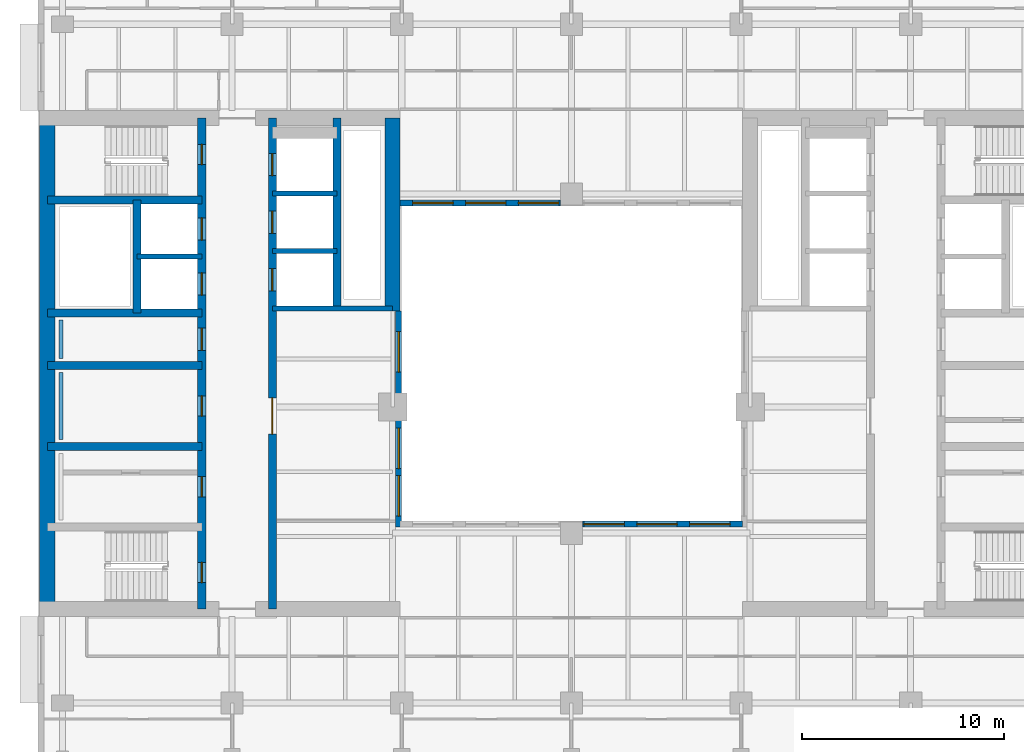
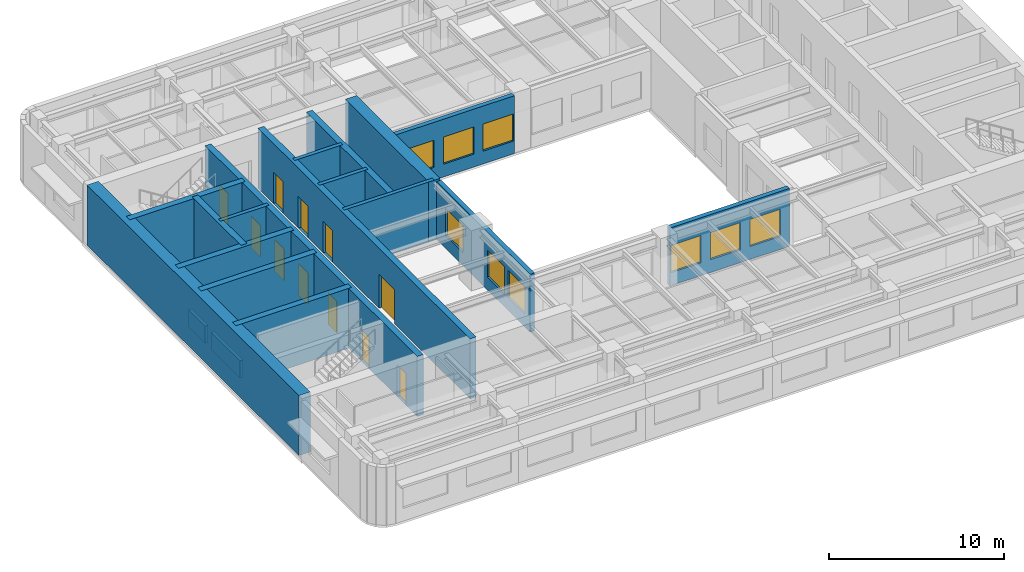
# One storey, part 4 of 11: 19 walls, 11 doors, 9 windows, 20 openings.
"""IFC4 building model written with IfcOpenShell, lengths in metres."""

from ifc_helpers import new_model, si_unit, direction, frame, frame_2d, origin, place, context, subcontext, project, spatial, rectangle, extrude, material, layer, layer_set, type_object, element, fill, save


model = new_model("IFC4")

# Units and contexts
model_context = context("Model", 3, precision=1e-05, world=origin(), true_north=direction((0.0, 1.0)))
body_context = subcontext(model_context, "Body", "Model", "MODEL_VIEW")
ifc_project = project(units=[si_unit("LENGTHUNIT", "METRE"), si_unit("AREAUNIT", "SQUARE_METRE"), si_unit("VOLUMEUNIT", "CUBIC_METRE"), si_unit("PLANEANGLEUNIT", "RADIAN"), si_unit("MASSUNIT", "GRAM", prefix="KILO")], contexts=[model_context])

# Site, building, storey
site_placement = place(None, origin())
site = spatial("IfcSite", under=ifc_project, at=site_placement, CompositionType="ELEMENT")
building_placement = place(site_placement, origin())
building = spatial("IfcBuilding", under=site, at=building_placement, Name="Claustro Exchange Tower", CompositionType="ELEMENT")
storey_placement = place(building_placement, frame((0.0, 0.0, 194.39990234375)))
storey = spatial("IfcBuildingStorey", under=building, at=storey_placement, Name="L44", CompositionType="ELEMENT", Elevation=194.39990234375)

# Wall, openings, windows
ifc_material_1 = material(Name="Concrete HA-40 (C40/50), precast, white cement, acid-etched", Category="concrete")
ifc_layer_1 = layer(ifc_material_1, 0.300048828125)
ifc_layer_set_1 = layer_set([ifc_layer_1], Name="Concrete HA-40 (C40/50), precast, white cement, acid-etched")
wall_type_1 = type_object("IfcWallType", Name="PC1 300 precast concrete pier panel", PredefinedType="SOLIDWALL", material=ifc_layer_set_1)
wall_1_placement = place(storey_placement, frame((16.64990234375, 17.10009765625, 0.0), z_axis=(0.0, 0.0, 1.0), x_axis=(0.0, 1.0, 0.0)))
wall_1 = element("IfcWall", 1, at=wall_1_placement, inside=storey, type_object=wall_type_1, Name="Precast pier panel PC1 L44", PredefinedType="SOLIDWALL", context=body_context, shape_type="SweptSolid", body=[
    extrude(rectangle(XDim=10.699951171875, YDim=0.300048828125, at=frame_2d((5.35009765625, 0.0))), origin(), (0.0, 0.0, 1.0), 4.050048828125),
])
opening_1_placement = place(wall_1_placement, frame((0.550048828125, 0.0, 0.89990234375)))
opening_1 = element("IfcOpeningElement", 2, at=opening_1_placement, cuts=wall_1, Name="Opening W4", PredefinedType="OPENING", context=body_context, shape_type="SweptSolid", body=[
    extrude(rectangle(XDim=2.0, YDim=1.89990234375, at=frame_2d((1.0, 0.949951171875))), frame((0.0, 0.159912109375, 0.0), z_axis=(0.0, -1.0, 0.0), x_axis=(1.0, 0.0, 0.0)), (0.0, 0.0, 1.0), 0.320068359375),
])
opening_2_placement = place(wall_1_placement, frame((2.89990234375, 0.0, 0.89990234375)))
opening_2 = element("IfcOpeningElement", 3, at=opening_2_placement, cuts=wall_1, Name="Opening W4", PredefinedType="OPENING", context=body_context, shape_type="SweptSolid", body=[
    extrude(rectangle(XDim=2.0, YDim=1.89990234375, at=frame_2d((1.0, 0.949951171875))), frame((0.0, 0.159912109375, 0.0), z_axis=(0.0, -1.0, 0.0), x_axis=(1.0, 0.0, 0.0)), (0.0, 0.0, 1.0), 0.320068359375),
])
opening_3_placement = place(wall_1_placement, frame((7.675048828125, 0.0, 0.89990234375)))
opening_3 = element("IfcOpeningElement", 4, at=opening_3_placement, cuts=wall_1, Name="Opening W4", PredefinedType="OPENING", context=body_context, shape_type="SweptSolid", body=[
    extrude(rectangle(XDim=2.0, YDim=1.89990234375, at=frame_2d((1.0, 0.949951171875))), frame((0.0, 0.159912109375, 0.0), z_axis=(0.0, -1.0, 0.0), x_axis=(1.0, 0.0, 0.0)), (0.0, 0.0, 1.0), 0.320068359375),
])
ifc_material_2 = material(Name="Aluminium frame, clear double glazing", Category="aluminium")
window_type = type_object("IfcWindowType", Name="W4 2000 x 1900 light well window", PartitioningType="SINGLE_PANEL", PredefinedType="WINDOW", material=ifc_material_2)
window_1_placement = place(opening_1_placement, origin())
window_1 = element("IfcWindow", 5, at=window_1_placement, inside=storey, type_object=window_type, Name="Window W4 L44", OverallHeight=1.89990234375, OverallWidth=2.0, PartitioningType="SINGLE_PANEL", PredefinedType="WINDOW", context=body_context, shape_type="SweptSolid", body=[
    extrude(rectangle(XDim=2.0, YDim=1.89990234375, at=frame_2d((1.0, 0.949951171875))), frame((0.0, 0.030029296875, 0.0), z_axis=(0.0, -1.0, 0.0), x_axis=(1.0, 0.0, 0.0)), (0.0, 0.0, 1.0), 0.06005859375),
])
fill(opening_1, window_1)
window_2_placement = place(opening_2_placement, origin())
window_2 = element("IfcWindow", 6, at=window_2_placement, inside=storey, type_object=window_type, Name="Window W4 L44", OverallHeight=1.89990234375, OverallWidth=2.0, PartitioningType="SINGLE_PANEL", PredefinedType="WINDOW", context=body_context, shape_type="SweptSolid", body=[
    extrude(rectangle(XDim=2.0, YDim=1.89990234375, at=frame_2d((1.0, 0.949951171875))), frame((0.0, 0.030029296875, 0.0), z_axis=(0.0, -1.0, 0.0), x_axis=(1.0, 0.0, 0.0)), (0.0, 0.0, 1.0), 0.06005859375),
])
fill(opening_2, window_2)
window_3_placement = place(opening_3_placement, origin())
window_3 = element("IfcWindow", 7, at=window_3_placement, inside=storey, type_object=window_type, Name="Window W4 L44", OverallHeight=1.89990234375, OverallWidth=2.0, PartitioningType="SINGLE_PANEL", PredefinedType="WINDOW", context=body_context, shape_type="SweptSolid", body=[
    extrude(rectangle(XDim=2.0, YDim=1.89990234375, at=frame_2d((1.0, 0.949951171875))), frame((0.0, 0.030029296875, 0.0), z_axis=(0.0, -1.0, 0.0), x_axis=(1.0, 0.0, 0.0)), (0.0, 0.0, 1.0), 0.06005859375),
])
fill(opening_3, window_3)

wall_2_placement = place(storey_placement, frame((25.75, 17.25, 0.0), z_axis=(0.0, 0.0, 1.0), x_axis=(1.0, 0.0, 0.0)))
wall_2 = element("IfcWall", 8, at=wall_2_placement, inside=storey, type_object=wall_type_1, Name="Precast pier panel PC1 L44", PredefinedType="SOLIDWALL", context=body_context, shape_type="SweptSolid", body=[
    extrude(rectangle(XDim=7.925048828125, YDim=0.300048828125, at=frame_2d((3.96240234375, 0.0))), origin(), (0.0, 0.0, 1.0), 4.050048828125),
])
opening_4_placement = place(wall_2_placement, frame((0.068603515625, 0.0, 0.89990234375)))
opening_4 = element("IfcOpeningElement", 9, at=opening_4_placement, cuts=wall_2, Name="Opening W4", PredefinedType="OPENING", context=body_context, shape_type="SweptSolid", body=[
    extrude(rectangle(XDim=2.0, YDim=1.89990234375, at=frame_2d((1.0, 0.949951171875))), frame((0.0, 0.159912109375, 0.0), z_axis=(0.0, -1.0, 0.0), x_axis=(1.0, 0.0, 0.0)), (0.0, 0.0, 1.0), 0.320068359375),
])
opening_5_placement = place(wall_2_placement, frame((2.6875, 0.0, 0.89990234375)))
opening_5 = element("IfcOpeningElement", 10, at=opening_5_placement, cuts=wall_2, Name="Opening W4", PredefinedType="OPENING", context=body_context, shape_type="SweptSolid", body=[
    extrude(rectangle(XDim=2.0, YDim=1.89990234375, at=frame_2d((1.0, 0.949951171875))), frame((0.0, 0.159912109375, 0.0), z_axis=(0.0, -1.0, 0.0), x_axis=(1.0, 0.0, 0.0)), (0.0, 0.0, 1.0), 0.320068359375),
])
opening_6_placement = place(wall_2_placement, frame((5.30615234375, 0.0, 0.89990234375)))
opening_6 = element("IfcOpeningElement", 11, at=opening_6_placement, cuts=wall_2, Name="Opening W4", PredefinedType="OPENING", context=body_context, shape_type="SweptSolid", body=[
    extrude(rectangle(XDim=2.0, YDim=1.89990234375, at=frame_2d((1.0, 0.949951171875))), frame((0.0, 0.159912109375, 0.0), z_axis=(0.0, -1.0, 0.0), x_axis=(1.0, 0.0, 0.0)), (0.0, 0.0, 1.0), 0.320068359375),
])
window_4_placement = place(opening_4_placement, origin())
window_4 = element("IfcWindow", 12, at=window_4_placement, inside=storey, type_object=window_type, Name="Window W4 L44", OverallHeight=1.89990234375, OverallWidth=2.0, PartitioningType="SINGLE_PANEL", PredefinedType="WINDOW", context=body_context, shape_type="SweptSolid", body=[
    extrude(rectangle(XDim=2.0, YDim=1.89990234375, at=frame_2d((1.0, 0.949951171875))), frame((0.0, 0.030029296875, 0.0), z_axis=(0.0, -1.0, 0.0), x_axis=(1.0, 0.0, 0.0)), (0.0, 0.0, 1.0), 0.06005859375),
])
fill(opening_4, window_4)
window_5_placement = place(opening_5_placement, origin())
window_5 = element("IfcWindow", 13, at=window_5_placement, inside=storey, type_object=window_type, Name="Window W4 L44", OverallHeight=1.89990234375, OverallWidth=2.0, PartitioningType="SINGLE_PANEL", PredefinedType="WINDOW", context=body_context, shape_type="SweptSolid", body=[
    extrude(rectangle(XDim=2.0, YDim=1.89990234375, at=frame_2d((1.0, 0.949951171875))), frame((0.0, 0.030029296875, 0.0), z_axis=(0.0, -1.0, 0.0), x_axis=(1.0, 0.0, 0.0)), (0.0, 0.0, 1.0), 0.06005859375),
])
fill(opening_5, window_5)
window_6_placement = place(opening_6_placement, origin())
window_6 = element("IfcWindow", 14, at=window_6_placement, inside=storey, type_object=window_type, Name="Window W4 L44", OverallHeight=1.89990234375, OverallWidth=2.0, PartitioningType="SINGLE_PANEL", PredefinedType="WINDOW", context=body_context, shape_type="SweptSolid", body=[
    extrude(rectangle(XDim=2.0, YDim=1.89990234375, at=frame_2d((1.0, 0.949951171875))), frame((0.0, 0.030029296875, 0.0), z_axis=(0.0, -1.0, 0.0), x_axis=(1.0, 0.0, 0.0)), (0.0, 0.0, 1.0), 0.06005859375),
])
fill(opening_6, window_6)

wall_3_placement = place(storey_placement, frame((16.72509765625, 33.14990234375, 0.0), z_axis=(0.0, 0.0, 1.0), x_axis=(1.0, 0.0, 0.0)))
wall_3 = element("IfcWall", 15, at=wall_3_placement, inside=storey, type_object=wall_type_1, Name="Precast pier panel PC1 L44", PredefinedType="SOLIDWALL", context=body_context, shape_type="SweptSolid", body=[
    extrude(rectangle(XDim=7.9248046875, YDim=0.300048828125, at=frame_2d((3.96240234375, 0.0))), origin(), (0.0, 0.0, 1.0), 4.050048828125),
])
opening_7_placement = place(wall_3_placement, frame((0.61865234375, 0.0, 0.89990234375)))
opening_7 = element("IfcOpeningElement", 16, at=opening_7_placement, cuts=wall_3, Name="Opening W4", PredefinedType="OPENING", context=body_context, shape_type="SweptSolid", body=[
    extrude(rectangle(XDim=2.0, YDim=1.89990234375, at=frame_2d((1.0, 0.949951171875))), frame((0.0, 0.159912109375, 0.0), z_axis=(0.0, -1.0, 0.0), x_axis=(1.0, 0.0, 0.0)), (0.0, 0.0, 1.0), 0.320068359375),
])
opening_8_placement = place(wall_3_placement, frame((3.237548828125, 0.0, 0.89990234375)))
opening_8 = element("IfcOpeningElement", 17, at=opening_8_placement, cuts=wall_3, Name="Opening W4", PredefinedType="OPENING", context=body_context, shape_type="SweptSolid", body=[
    extrude(rectangle(XDim=2.0, YDim=1.89990234375, at=frame_2d((1.0, 0.949951171875))), frame((0.0, 0.159912109375, 0.0), z_axis=(0.0, -1.0, 0.0), x_axis=(1.0, 0.0, 0.0)), (0.0, 0.0, 1.0), 0.320068359375),
])
opening_9_placement = place(wall_3_placement, frame((5.856201171875, 0.0, 0.89990234375)))
opening_9 = element("IfcOpeningElement", 18, at=opening_9_placement, cuts=wall_3, Name="Opening W4", PredefinedType="OPENING", context=body_context, shape_type="SweptSolid", body=[
    extrude(rectangle(XDim=2.0, YDim=1.89990234375, at=frame_2d((1.0, 0.949951171875))), frame((0.0, 0.159912109375, 0.0), z_axis=(0.0, -1.0, 0.0), x_axis=(1.0, 0.0, 0.0)), (0.0, 0.0, 1.0), 0.320068359375),
])
window_7_placement = place(opening_7_placement, origin())
window_7 = element("IfcWindow", 19, at=window_7_placement, inside=storey, type_object=window_type, Name="Window W4 L44", OverallHeight=1.89990234375, OverallWidth=2.0, PartitioningType="SINGLE_PANEL", PredefinedType="WINDOW", context=body_context, shape_type="SweptSolid", body=[
    extrude(rectangle(XDim=2.0, YDim=1.89990234375, at=frame_2d((1.0, 0.949951171875))), frame((0.0, 0.030029296875, 0.0), z_axis=(0.0, -1.0, 0.0), x_axis=(1.0, 0.0, 0.0)), (0.0, 0.0, 1.0), 0.06005859375),
])
fill(opening_7, window_7)
window_8_placement = place(opening_8_placement, origin())
window_8 = element("IfcWindow", 20, at=window_8_placement, inside=storey, type_object=window_type, Name="Window W4 L44", OverallHeight=1.89990234375, OverallWidth=2.0, PartitioningType="SINGLE_PANEL", PredefinedType="WINDOW", context=body_context, shape_type="SweptSolid", body=[
    extrude(rectangle(XDim=2.0, YDim=1.89990234375, at=frame_2d((1.0, 0.949951171875))), frame((0.0, 0.030029296875, 0.0), z_axis=(0.0, -1.0, 0.0), x_axis=(1.0, 0.0, 0.0)), (0.0, 0.0, 1.0), 0.06005859375),
])
fill(opening_8, window_8)
window_9_placement = place(opening_9_placement, origin())
window_9 = element("IfcWindow", 21, at=window_9_placement, inside=storey, type_object=window_type, Name="Window W4 L44", OverallHeight=1.89990234375, OverallWidth=2.0, PartitioningType="SINGLE_PANEL", PredefinedType="WINDOW", context=body_context, shape_type="SweptSolid", body=[
    extrude(rectangle(XDim=2.0, YDim=1.89990234375, at=frame_2d((1.0, 0.949951171875))), frame((0.0, 0.030029296875, 0.0), z_axis=(0.0, -1.0, 0.0), x_axis=(1.0, 0.0, 0.0)), (0.0, 0.0, 1.0), 0.06005859375),
])
fill(opening_9, window_9)

# Walls
ifc_material_3 = material(Name="Gypsum board on steel studs, tiled", Category="steel")
ifc_layer_2 = layer(ifc_material_3, 0.199951171875)
ifc_layer_set_2 = layer_set([ifc_layer_2], Name="Gypsum board on steel studs, tiled")
wall_type_2 = type_object("IfcWallType", Name="PW1 200 WC duct wall", PredefinedType="PLUMBINGWALL", material=ifc_layer_set_2)
wall_4_placement = place(storey_placement, frame((-0.074951171875, 21.449951171875, 0.0), z_axis=(0.0, 0.0, 1.0), x_axis=(0.0, 1.0, 0.0)))
element("IfcWall", 22, at=wall_4_placement, inside=storey, type_object=wall_type_2, Name="WC duct wall PW1 L44", PredefinedType="PLUMBINGWALL", context=body_context, shape_type="SweptSolid", body=[
    extrude(rectangle(XDim=3.300048828125, YDim=0.199951171875, at=frame_2d((1.64990234375, 0.0))), origin(), (0.0, 0.0, 1.0), 1.2001953125),
])
wall_5_placement = place(storey_placement, frame((-0.074951171875, 25.449951171875, 0.0), z_axis=(0.0, 0.0, 1.0), x_axis=(0.0, 1.0, 0.0)))
element("IfcWall", 23, at=wall_5_placement, inside=storey, type_object=wall_type_2, Name="WC duct wall PW1 L44", PredefinedType="PLUMBINGWALL", context=body_context, shape_type="SweptSolid", body=[
    extrude(rectangle(XDim=1.900146484375, YDim=0.199951171875, at=frame_2d((0.9501953125, 0.0))), origin(), (0.0, 0.0, 1.0), 1.2001953125),
])
ifc_material_4 = material(Name="Concrete HA-70 (C70/85)", Category="concrete")
ifc_layer_3 = layer(ifc_material_4, 0.75)
ifc_layer_set_3 = layer_set([ifc_layer_3], Name="Concrete HA-70 (C70/85)")
wall_type_3 = type_object("IfcWallType", Name="SW2X 750 exposed core shear wall, board-marked face", PredefinedType="SHEAR", material=ifc_layer_set_3)
wall_6_placement = place(storey_placement, frame((-0.75, 13.050048828125, 0.0), z_axis=(0.0, 0.0, 1.0), x_axis=(0.0, 1.0, 0.0)))
element("IfcWall", 24, at=wall_6_placement, inside=storey, type_object=wall_type_3, Name="Core wall SW2X W core W face L44", PredefinedType="SHEAR", context=body_context, shape_type="SweptSolid", body=[
    extrude(rectangle(XDim=24.300048828125, YDim=0.75, at=frame_2d((12.14990234375, 0.0))), origin(), (0.0, 0.0, 1.0), 4.2001953125),
])
wall_7_placement = place(storey_placement, frame((16.35009765625, 27.800048828125, 0.0), z_axis=(0.0, 0.0, 1.0), x_axis=(0.0, 1.0, 0.0)))
element("IfcWall", 25, at=wall_7_placement, inside=storey, type_object=wall_type_3, Name="Core wall SW2X W core E face L44", PredefinedType="SHEAR", context=body_context, shape_type="SweptSolid", body=[
    extrude(rectangle(XDim=9.550048828125, YDim=0.75, at=frame_2d((4.77490234375, 0.0))), origin(), (0.0, 0.0, 1.0), 4.2001953125),
])

# Wall, openings, doors
ifc_material_5 = material(Name="Concrete HA-50 (C50/60)", Category="concrete")
ifc_layer_4 = layer(ifc_material_5, 0.39990234375)
ifc_layer_set_4 = layer_set([ifc_layer_4], Name="Concrete HA-50 (C50/60)")
wall_type_4 = type_object("IfcWallType", Name="SW4 400 internal core wall", PredefinedType="SHEAR", material=ifc_layer_set_4)
wall_8_placement = place(storey_placement, frame((6.89990234375, 13.050048828125, 0.0), z_axis=(0.0, 0.0, 1.0), x_axis=(0.0, 1.0, 0.0)))
wall_8 = element("IfcWall", 26, at=wall_8_placement, inside=storey, type_object=wall_type_4, Name="Internal core wall SW4 W core L44", PredefinedType="SHEAR", context=body_context, shape_type="SweptSolid", body=[
    extrude(rectangle(XDim=24.300048828125, YDim=0.39990234375, at=frame_2d((12.14990234375, 0.0))), origin(), (0.0, 0.0, 1.0), 4.2001953125),
])
opening_10_placement = place(wall_8_placement, frame((1.300048828125, 0.0, 0.0)))
opening_10 = element("IfcOpeningElement", 27, at=opening_10_placement, cuts=wall_8, Name="Opening D4", PredefinedType="OPENING", context=body_context, shape_type="SweptSolid", body=[
    extrude(rectangle(XDim=1.0, YDim=2.199951171875, at=frame_2d((0.5, 1.10009765625))), frame((0.0, 0.2099609375, 0.0), z_axis=(0.0, -1.0, 0.0), x_axis=(1.0, 0.0, 0.0)), (0.0, 0.0, 1.0), 0.419921875),
])
opening_11_placement = place(wall_8_placement, frame((22.0, 0.0, 0.0)))
opening_11 = element("IfcOpeningElement", 28, at=opening_11_placement, cuts=wall_8, Name="Opening D4", PredefinedType="OPENING", context=body_context, shape_type="SweptSolid", body=[
    extrude(rectangle(XDim=1.0, YDim=2.199951171875, at=frame_2d((0.5, 1.10009765625))), frame((0.0, 0.2099609375, 0.0), z_axis=(0.0, -1.0, 0.0), x_axis=(1.0, 0.0, 0.0)), (0.0, 0.0, 1.0), 0.419921875),
])
opening_12_placement = place(wall_8_placement, frame((5.550048828125, 0.0, 0.0)))
opening_12 = element("IfcOpeningElement", 29, at=opening_12_placement, cuts=wall_8, Name="Opening D1", PredefinedType="OPENING", context=body_context, shape_type="SweptSolid", body=[
    extrude(rectangle(XDim=1.0, YDim=2.199951171875, at=frame_2d((0.5, 1.10009765625))), frame((0.0, 0.2099609375, 0.0), z_axis=(0.0, -1.0, 0.0), x_axis=(1.0, 0.0, 0.0)), (0.0, 0.0, 1.0), 0.419921875),
])
opening_13_placement = place(wall_8_placement, frame((9.550048828125, 0.0, 0.0)))
opening_13 = element("IfcOpeningElement", 30, at=opening_13_placement, cuts=wall_8, Name="Opening D1", PredefinedType="OPENING", context=body_context, shape_type="SweptSolid", body=[
    extrude(rectangle(XDim=1.0, YDim=2.199951171875, at=frame_2d((0.5, 1.10009765625))), frame((0.0, 0.2099609375, 0.0), z_axis=(0.0, -1.0, 0.0), x_axis=(1.0, 0.0, 0.0)), (0.0, 0.0, 1.0), 0.419921875),
])
opening_14_placement = place(wall_8_placement, frame((12.800048828125, 0.0, 0.0)))
opening_14 = element("IfcOpeningElement", 31, at=opening_14_placement, cuts=wall_8, Name="Opening D10", PredefinedType="OPENING", context=body_context, shape_type="SweptSolid", body=[
    extrude(rectangle(XDim=1.10009765625, YDim=2.199951171875, at=frame_2d((0.550048828125, 1.10009765625))), frame((0.0, 0.2099609375, 0.0), z_axis=(0.0, -1.0, 0.0), x_axis=(1.0, 0.0, 0.0)), (0.0, 0.0, 1.0), 0.419921875),
])
opening_15_placement = place(wall_8_placement, frame((15.53759765625, 0.0, 0.0)))
opening_15 = element("IfcOpeningElement", 32, at=opening_15_placement, cuts=wall_8, Name="Opening LD", PredefinedType="OPENING", context=body_context, shape_type="SweptSolid", body=[
    extrude(rectangle(XDim=1.10009765625, YDim=2.199951171875, at=frame_2d((0.550048828125, 1.10009765625))), frame((0.0, 0.2099609375, 0.0), z_axis=(0.0, -1.0, 0.0), x_axis=(1.0, 0.0, 0.0)), (0.0, 0.0, 1.0), 0.419921875),
])
opening_16_placement = place(wall_8_placement, frame((18.262451171875, 0.0, 0.0)))
opening_16 = element("IfcOpeningElement", 33, at=opening_16_placement, cuts=wall_8, Name="Opening LD", PredefinedType="OPENING", context=body_context, shape_type="SweptSolid", body=[
    extrude(rectangle(XDim=1.10009765625, YDim=2.199951171875, at=frame_2d((0.550048828125, 1.10009765625))), frame((0.0, 0.2099609375, 0.0), z_axis=(0.0, -1.0, 0.0), x_axis=(1.0, 0.0, 0.0)), (0.0, 0.0, 1.0), 0.419921875),
])
ifc_material_6 = material(Name="Timber door, oak veneer", Category="wood")
door_type_1 = type_object("IfcDoorType", Name="D1 1000 x 2200 single door", OperationType="SINGLE_SWING_LEFT", PredefinedType="DOOR", material=ifc_material_6)
door_1_placement = place(opening_12_placement, origin())
door_1 = element("IfcDoor", 34, at=door_1_placement, inside=storey, type_object=door_type_1, Name="Door D1 L44", OperationType="SINGLE_SWING_RIGHT", OverallHeight=2.199951171875, OverallWidth=1.0, PredefinedType="DOOR", context=body_context, shape_type="SweptSolid", body=[
    extrude(rectangle(XDim=1.0, YDim=2.199951171875, at=frame_2d((0.5, 1.10009765625))), frame((0.0, 0.02490234375, 0.0), z_axis=(0.0, -1.0, 0.0), x_axis=(1.0, 0.0, 0.0)), (0.0, 0.0, 1.0), 0.050048828125),
])
fill(opening_12, door_1)
door_2_placement = place(opening_13_placement, origin())
door_2 = element("IfcDoor", 35, at=door_2_placement, inside=storey, type_object=door_type_1, Name="Door D1 L44", OperationType="SINGLE_SWING_RIGHT", OverallHeight=2.199951171875, OverallWidth=1.0, PredefinedType="DOOR", context=body_context, shape_type="SweptSolid", body=[
    extrude(rectangle(XDim=1.0, YDim=2.199951171875, at=frame_2d((0.5, 1.10009765625))), frame((0.0, 0.02490234375, 0.0), z_axis=(0.0, -1.0, 0.0), x_axis=(1.0, 0.0, 0.0)), (0.0, 0.0, 1.0), 0.050048828125),
])
fill(opening_13, door_2)
ifc_material_7 = material(Name="Timber door, oak veneer", Category="wood")
door_type_2 = type_object("IfcDoorType", Name="D10 1100 x 2200 accessible WC door", OperationType="SINGLE_SWING_LEFT", PredefinedType="DOOR", material=ifc_material_7)
door_3_placement = place(opening_14_placement, frame((1.10009765625, 0.0, 0.0), z_axis=(0.0, 0.0, 1.0), x_axis=(-1.0, 0.0, 0.0)))
door_3 = element("IfcDoor", 36, at=door_3_placement, inside=storey, type_object=door_type_2, Name="Accessible WC door D10 L44", OperationType="SINGLE_SWING_LEFT", OverallHeight=2.199951171875, OverallWidth=1.10009765625, PredefinedType="DOOR", context=body_context, shape_type="SweptSolid", body=[
    extrude(rectangle(XDim=1.10009765625, YDim=2.199951171875, at=frame_2d((0.550048828125, 1.10009765625))), frame((0.0, 0.02490234375, 0.0), z_axis=(0.0, -1.0, 0.0), x_axis=(1.0, 0.0, 0.0)), (0.0, 0.0, 1.0), 0.050048828125),
])
fill(opening_14, door_3)
ifc_material_8 = material(Name="Steel fire door, painted", Category="steel")
door_type_3 = type_object("IfcDoorType", Name="D4 1000 x 2200 fire-rated stair door", OperationType="SINGLE_SWING_LEFT", PredefinedType="DOOR", material=ifc_material_8)
door_4_placement = place(opening_10_placement, origin())
door_4 = element("IfcDoor", 37, at=door_4_placement, inside=storey, type_object=door_type_3, Name="Stair door D4 L44", OperationType="SINGLE_SWING_LEFT", OverallHeight=2.199951171875, OverallWidth=1.0, PredefinedType="DOOR", context=body_context, shape_type="SweptSolid", body=[
    extrude(rectangle(XDim=1.0, YDim=2.199951171875, at=frame_2d((0.5, 1.10009765625))), frame((0.0, 0.02490234375, 0.0), z_axis=(0.0, -1.0, 0.0), x_axis=(1.0, 0.0, 0.0)), (0.0, 0.0, 1.0), 0.050048828125),
])
fill(opening_10, door_4)
door_5_placement = place(opening_11_placement, origin())
door_5 = element("IfcDoor", 38, at=door_5_placement, inside=storey, type_object=door_type_3, Name="Stair door D4 L44", OperationType="SINGLE_SWING_RIGHT", OverallHeight=2.199951171875, OverallWidth=1.0, PredefinedType="DOOR", context=body_context, shape_type="SweptSolid", body=[
    extrude(rectangle(XDim=1.0, YDim=2.199951171875, at=frame_2d((0.5, 1.10009765625))), frame((0.0, 0.02490234375, 0.0), z_axis=(0.0, -1.0, 0.0), x_axis=(1.0, 0.0, 0.0)), (0.0, 0.0, 1.0), 0.050048828125),
])
fill(opening_11, door_5)
ifc_material_9 = material(Name="Stainless steel sliding door", Category="steel")
door_type_4 = type_object("IfcDoorType", Name="LD 1100 x 2200 lift landing door", OperationType="DOUBLE_DOOR_SLIDING", PredefinedType="DOOR", material=ifc_material_9)
door_6_placement = place(opening_15_placement, origin())
door_6 = element("IfcDoor", 39, at=door_6_placement, inside=storey, type_object=door_type_4, Name="Lift landing door LEW1 LD L44", OperationType="DOUBLE_DOOR_SLIDING", OverallHeight=2.199951171875, OverallWidth=1.10009765625, PredefinedType="DOOR", context=body_context, shape_type="SweptSolid", body=[
    extrude(rectangle(XDim=1.10009765625, YDim=2.199951171875, at=frame_2d((0.550048828125, 1.10009765625))), frame((0.0, 0.02490234375, 0.0), z_axis=(0.0, -1.0, 0.0), x_axis=(1.0, 0.0, 0.0)), (0.0, 0.0, 1.0), 0.050048828125),
])
fill(opening_15, door_6)
door_7_placement = place(opening_16_placement, origin())
door_7 = element("IfcDoor", 40, at=door_7_placement, inside=storey, type_object=door_type_4, Name="Lift landing door LEW2 LD L44", OperationType="DOUBLE_DOOR_SLIDING", OverallHeight=2.199951171875, OverallWidth=1.10009765625, PredefinedType="DOOR", context=body_context, shape_type="SweptSolid", body=[
    extrude(rectangle(XDim=1.10009765625, YDim=2.199951171875, at=frame_2d((0.550048828125, 1.10009765625))), frame((0.0, 0.02490234375, 0.0), z_axis=(0.0, -1.0, 0.0), x_axis=(1.0, 0.0, 0.0)), (0.0, 0.0, 1.0), 0.050048828125),
])
fill(opening_16, door_7)

wall_9_placement = place(storey_placement, frame((10.39990234375, 13.050048828125, 0.0), z_axis=(0.0, 0.0, 1.0), x_axis=(0.0, 1.0, 0.0)))
wall_9 = element("IfcWall", 41, at=wall_9_placement, inside=storey, type_object=wall_type_4, Name="Internal core wall SW4 W core L44", PredefinedType="SHEAR", context=body_context, shape_type="SweptSolid", body=[
    extrude(rectangle(XDim=24.300048828125, YDim=0.39990234375, at=frame_2d((12.14990234375, 0.0))), origin(), (0.0, 0.0, 1.0), 4.2001953125),
])
opening_17_placement = place(wall_9_placement, frame((15.75, 0.0, 0.0)))
opening_17 = element("IfcOpeningElement", 42, at=opening_17_placement, cuts=wall_9, Name="Opening LD", PredefinedType="OPENING", context=body_context, shape_type="SweptSolid", body=[
    extrude(rectangle(XDim=1.10009765625, YDim=2.199951171875, at=frame_2d((0.550048828125, 1.10009765625))), frame((0.0, 0.2099609375, 0.0), z_axis=(0.0, -1.0, 0.0), x_axis=(1.0, 0.0, 0.0)), (0.0, 0.0, 1.0), 0.419921875),
])
opening_18_placement = place(wall_9_placement, frame((18.60009765625, 0.0, 0.0)))
opening_18 = element("IfcOpeningElement", 43, at=opening_18_placement, cuts=wall_9, Name="Opening LD", PredefinedType="OPENING", context=body_context, shape_type="SweptSolid", body=[
    extrude(rectangle(XDim=1.10009765625, YDim=2.199951171875, at=frame_2d((0.550048828125, 1.10009765625))), frame((0.0, 0.2099609375, 0.0), z_axis=(0.0, -1.0, 0.0), x_axis=(1.0, 0.0, 0.0)), (0.0, 0.0, 1.0), 0.419921875),
])
opening_19_placement = place(wall_9_placement, frame((21.449951171875, 0.0, 0.0)))
opening_19 = element("IfcOpeningElement", 44, at=opening_19_placement, cuts=wall_9, Name="Opening LD", PredefinedType="OPENING", context=body_context, shape_type="SweptSolid", body=[
    extrude(rectangle(XDim=1.10009765625, YDim=2.199951171875, at=frame_2d((0.550048828125, 1.10009765625))), frame((0.0, 0.2099609375, 0.0), z_axis=(0.0, -1.0, 0.0), x_axis=(1.0, 0.0, 0.0)), (0.0, 0.0, 1.0), 0.419921875),
])
opening_20_placement = place(wall_9_placement, frame((8.64990234375, 0.0, 0.0)))
opening_20 = element("IfcOpeningElement", 45, at=opening_20_placement, cuts=wall_9, Name="Opening D3", PredefinedType="OPENING", context=body_context, shape_type="SweptSolid", body=[
    extrude(rectangle(XDim=1.800048828125, YDim=2.39990234375, at=frame_2d((0.89990234375, 1.199951171875))), frame((0.0, 0.2099609375, 0.0), z_axis=(0.0, -1.0, 0.0), x_axis=(1.0, 0.0, 0.0)), (0.0, 0.0, 1.0), 0.419921875),
])
ifc_material_10 = material(Name="Steel fire door, painted", Category="steel")
door_type_5 = type_object("IfcDoorType", Name="D3 1800 x 2400 fire-rated lobby double door", OperationType="DOUBLE_DOOR_SINGLE_SWING", PredefinedType="DOOR", material=ifc_material_10)
door_8_placement = place(opening_20_placement, frame((1.800048828125, 0.0, 0.0), z_axis=(0.0, 0.0, 1.0), x_axis=(-1.0, 0.0, 0.0)))
door_8 = element("IfcDoor", 46, at=door_8_placement, inside=storey, type_object=door_type_5, Name="Core zone door D3 L44", OperationType="DOUBLE_DOOR_SINGLE_SWING", OverallHeight=2.39990234375, OverallWidth=1.800048828125, PredefinedType="DOOR", context=body_context, shape_type="SweptSolid", body=[
    extrude(rectangle(XDim=1.800048828125, YDim=2.39990234375, at=frame_2d((0.89990234375, 1.199951171875))), frame((0.0, 0.02490234375, 0.0), z_axis=(0.0, -1.0, 0.0), x_axis=(1.0, 0.0, 0.0)), (0.0, 0.0, 1.0), 0.050048828125),
])
fill(opening_20, door_8)
door_9_placement = place(opening_17_placement, origin())
door_9 = element("IfcDoor", 47, at=door_9_placement, inside=storey, type_object=door_type_4, Name="Lift landing door LHW1 LD L44", OperationType="DOUBLE_DOOR_SLIDING", OverallHeight=2.199951171875, OverallWidth=1.10009765625, PredefinedType="DOOR", context=body_context, shape_type="SweptSolid", body=[
    extrude(rectangle(XDim=1.10009765625, YDim=2.199951171875, at=frame_2d((0.550048828125, 1.10009765625))), frame((0.0, 0.02490234375, 0.0), z_axis=(0.0, -1.0, 0.0), x_axis=(1.0, 0.0, 0.0)), (0.0, 0.0, 1.0), 0.050048828125),
])
fill(opening_17, door_9)
door_10_placement = place(opening_18_placement, origin())
door_10 = element("IfcDoor", 48, at=door_10_placement, inside=storey, type_object=door_type_4, Name="Lift landing door LHW2 LD L44", OperationType="DOUBLE_DOOR_SLIDING", OverallHeight=2.199951171875, OverallWidth=1.10009765625, PredefinedType="DOOR", context=body_context, shape_type="SweptSolid", body=[
    extrude(rectangle(XDim=1.10009765625, YDim=2.199951171875, at=frame_2d((0.550048828125, 1.10009765625))), frame((0.0, 0.02490234375, 0.0), z_axis=(0.0, -1.0, 0.0), x_axis=(1.0, 0.0, 0.0)), (0.0, 0.0, 1.0), 0.050048828125),
])
fill(opening_18, door_10)
door_11_placement = place(opening_19_placement, origin())
door_11 = element("IfcDoor", 49, at=door_11_placement, inside=storey, type_object=door_type_4, Name="Lift landing door LSW1 LD L44", OperationType="DOUBLE_DOOR_SLIDING", OverallHeight=2.199951171875, OverallWidth=1.10009765625, PredefinedType="DOOR", context=body_context, shape_type="SweptSolid", body=[
    extrude(rectangle(XDim=1.10009765625, YDim=2.199951171875, at=frame_2d((0.550048828125, 1.10009765625))), frame((0.0, 0.02490234375, 0.0), z_axis=(0.0, -1.0, 0.0), x_axis=(1.0, 0.0, 0.0)), (0.0, 0.0, 1.0), 0.050048828125),
])
fill(opening_19, door_11)

# Walls
wall_10_placement = place(storey_placement, frame((13.60009765625, 27.925048828125, 0.0), z_axis=(0.0, 0.0, 1.0), x_axis=(0.0, 1.0, 0.0)))
element("IfcWall", 50, at=wall_10_placement, inside=storey, type_object=wall_type_4, Name="Internal core wall SW4 W core L44", PredefinedType="SHEAR", context=body_context, shape_type="SweptSolid", body=[
    extrude(rectangle(XDim=9.425048828125, YDim=0.39990234375, at=frame_2d((4.71240234375, 0.0))), origin(), (0.0, 0.0, 1.0), 4.2001953125),
])
for number, where, z_axis, x_axis, name in (
    (51, (-0.75, 21.10009765625, 0.0), (0.0, 0.0, 1.0), (1.0, 0.0, 0.0), "Internal core wall SW4 W core L44"),
    (52, (-0.75, 25.10009765625, 0.0), (0.0, 0.0, 1.0), (1.0, 0.0, 0.0), "Internal core wall SW4 W core L44"),
    (53, (-0.75, 27.699951171875, 0.0), (0.0, 0.0, 1.0), (1.0, 0.0, 0.0), "Internal core wall SW4 W core L44"),
    (54, (-0.75, 33.300048828125, 0.0), (0.0, 0.0, 1.0), (1.0, 0.0, 0.0), "Internal core wall SW4 W core L44"),
):
    element("IfcWall", number, at=place(storey_placement, frame(where, z_axis=z_axis, x_axis=x_axis)), inside=storey, type_object=wall_type_4, Name=name, PredefinedType="SHEAR", context=body_context, shape_type="SweptSolid", body=[
        extrude(rectangle(XDim=7.64990234375, YDim=0.39990234375, at=frame_2d((3.824951171875, 0.0))), origin(), (0.0, 0.0, 1.0), 4.2001953125),
    ])
wall_11_placement = place(storey_placement, frame((3.699951171875, 27.699951171875, 0.0), z_axis=(0.0, 0.0, 1.0), x_axis=(0.0, 1.0, 0.0)))
element("IfcWall", 55, at=wall_11_placement, inside=storey, type_object=wall_type_4, Name="Internal core wall SW4 W core L44", PredefinedType="SHEAR", context=body_context, shape_type="SweptSolid", body=[
    extrude(rectangle(XDim=5.60009765625, YDim=0.39990234375, at=frame_2d((2.800048828125, 0.0))), origin(), (0.0, 0.0, 1.0), 4.2001953125),
])
ifc_material_11 = material(Name="Concrete HA-50 (C50/60)", Category="concrete")
ifc_layer_5 = layer(ifc_material_11, 0.25)
ifc_layer_set_5 = layer_set([ifc_layer_5], Name="Concrete HA-50 (C50/60)")
wall_type_5 = type_object("IfcWallType", Name="SW5 250 lift shaft divider wall", PredefinedType="SHEAR", material=ifc_layer_set_5)
wall_12_placement = place(storey_placement, frame((3.699951171875, 30.5, 0.0), z_axis=(0.0, 0.0, 1.0), x_axis=(1.0, 0.0, 0.0)))
element("IfcWall", 56, at=wall_12_placement, inside=storey, type_object=wall_type_5, Name="Lift shaft wall W core L44", PredefinedType="SHEAR", context=body_context, shape_type="SweptSolid", body=[
    extrude(rectangle(XDim=3.199951171875, YDim=0.25, at=frame_2d((1.60009765625, 0.0))), origin(), (0.0, 0.0, 1.0), 4.2001953125),
])
wall_13_placement = place(storey_placement, frame((10.39990234375, 27.925048828125, 0.0), z_axis=(0.0, 0.0, 1.0), x_axis=(1.0, 0.0, 0.0)))
element("IfcWall", 57, at=wall_13_placement, inside=storey, type_object=wall_type_5, Name="Core step wall W core L44", PredefinedType="SHEAR", context=body_context, shape_type="SweptSolid", body=[
    extrude(rectangle(XDim=5.9501953125, YDim=0.25, at=frame_2d((2.97509765625, 0.0))), origin(), (0.0, 0.0, 1.0), 4.2001953125),
])
for number, where, z_axis, x_axis, name in (
    (58, (10.39990234375, 30.77490234375, 0.0), (0.0, 0.0, 1.0), (1.0, 0.0, 0.0), "Lift shaft wall W core L44"),
    (59, (10.39990234375, 33.625, 0.0), (0.0, 0.0, 1.0), (1.0, 0.0, 0.0), "Lift shaft wall W core L44"),
):
    element("IfcWall", number, at=place(storey_placement, frame(where, z_axis=z_axis, x_axis=x_axis)), inside=storey, type_object=wall_type_5, Name=name, PredefinedType="SHEAR", context=body_context, shape_type="SweptSolid", body=[
        extrude(rectangle(XDim=3.2001953125, YDim=0.25, at=frame_2d((1.60009765625, 0.0))), origin(), (0.0, 0.0, 1.0), 4.2001953125),
    ])

save(model, "model.ifc")
